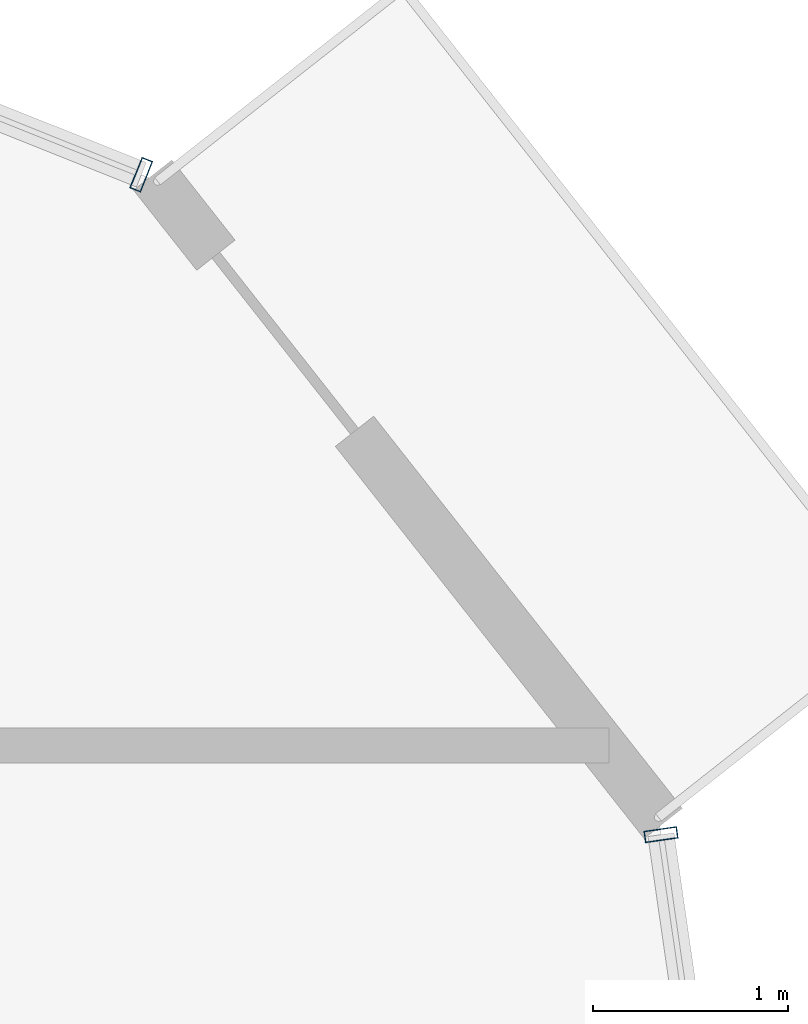
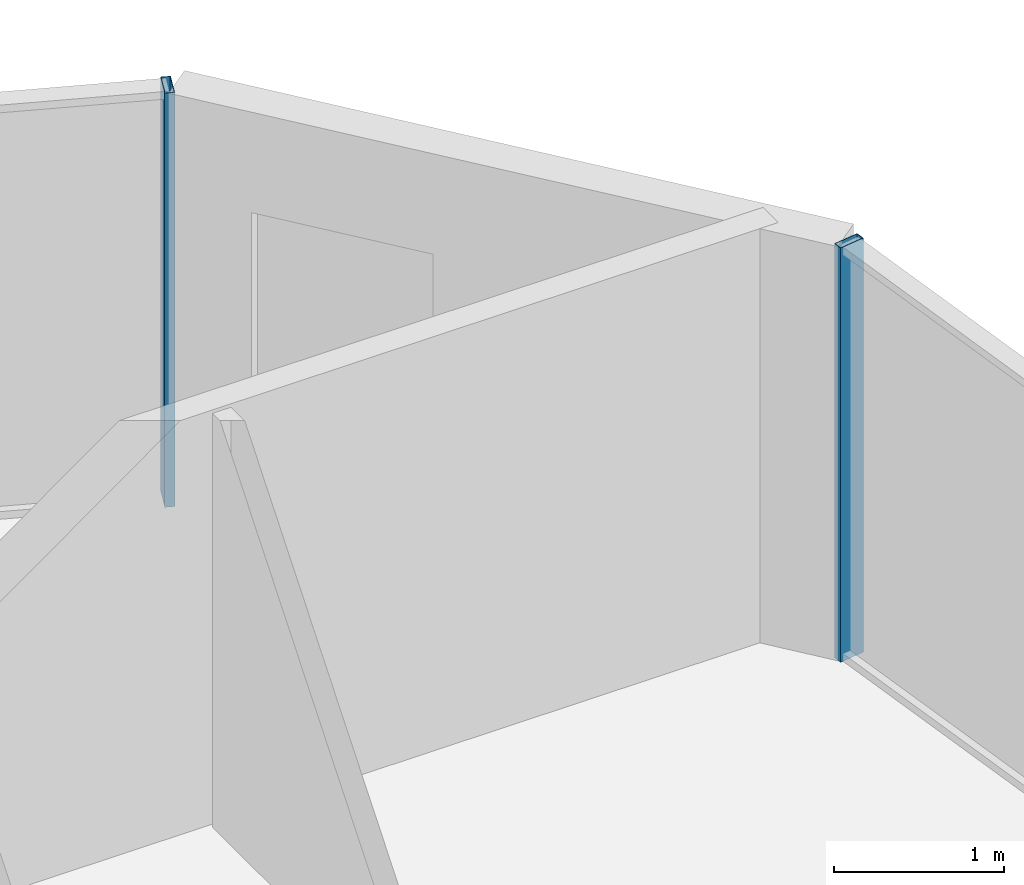
# One storey, part 28 of 34: 2 members, 2 elements without a shape of their own.
"""IFC4 building model written with IfcOpenShell, lengths in metres."""

from ifc_helpers import new_model, si_unit, direction, frame, origin, origin_2d, place, context, subcontext, project, spatial, hollow_rectangle, extrude, source, transform, mapped, material, layer, layer_set, material_profile, profile_set, type_object, element, aggregate, save


model = new_model("IFC4")

# Units and contexts
model_context = context("Model", 3, precision=1e-05, world=origin(), true_north=direction((0.0, 1.0)))
body_context = subcontext(model_context, "Body", "Model", "MODEL_VIEW")
ifc_project = project(units=[si_unit("LENGTHUNIT", "METRE"), si_unit("AREAUNIT", "SQUARE_METRE"), si_unit("VOLUMEUNIT", "CUBIC_METRE"), si_unit("PLANEANGLEUNIT", "RADIAN"), si_unit("MASSUNIT", "GRAM", prefix="KILO")], contexts=[model_context])

# Site, building, storey
site_placement = place(None, origin())
site = spatial("IfcSite", under=ifc_project, at=site_placement, CompositionType="ELEMENT")
building_placement = place(site_placement, origin())
building = spatial("IfcBuilding", under=site, at=building_placement, Name="Veraguas Prism Commons", CompositionType="ELEMENT")
storey_placement = place(building_placement, frame((0.0, 0.0, 155.5)))
storey = spatial("IfcBuildingStorey", under=building, at=storey_placement, Name="L44", CompositionType="ELEMENT", Elevation=155.5)

# Curtain wall, member
ifc_material = material(Name="Anodised aluminium EN AW-6063 T6", Category="aluminium")
ifc_layer = layer(ifc_material, 0.169921875, Name="Unitised Flush Curtain Wall Zone 2", Category="aluminium")
ifc_layer_set = layer_set([ifc_layer], Name="Anodised aluminium EN AW-6063 T6")
curtain_wall_type = type_object("IfcCurtainWallType", Name="Unitised Flush Curtain Wall Zone 2", PredefinedType="NOTDEFINED", material=ifc_layer_set)
curtain_wall_1_placement = place(storey_placement, origin())
curtain_wall_1 = element("IfcCurtainWall", 1, at=curtain_wall_1_placement, inside=storey, type_object=curtain_wall_type, Name="Tower Facade Curtain Wall L44-F1", PredefinedType="NOTDEFINED")
ifc_material_profile = material_profile(ifc_material, hollow_rectangle(XDim=0.06005859375, YDim=0.169921875, WallThickness=0.00390625, at=origin_2d()), Name="AL60X170X4")
ifc_profile_set = profile_set([ifc_material_profile], Name="Anodised aluminium EN AW-6063 T6")
member_type = type_object("IfcMemberType", Name="Curtain Wall Mullion Lower AL 60x170x4", PredefinedType="MULLION", material=ifc_profile_set)
shared_shape = source(origin(), body_context, "Body", "SweptSolid", [
    extrude(hollow_rectangle(XDim=0.06005859375, YDim=0.169921875, WallThickness=0.00390625, at=origin_2d()), origin(), (0.0, 0.0, 1.0), 2.969970703125),
])
member_1_placement = place(storey_placement, frame((39.091796875, 38.626953125, 0.0), z_axis=(0.0, 0.0, 1.0), x_axis=(-0.928617344909, 0.371038848013, 0.0)))
member_1 = element("IfcMember", 2, at=member_1_placement, type_object=member_type, Name="CW-Z2 Mullion 1", PredefinedType="MULLION", context=body_context, shape_type="MappedRepresentation", body=[
    mapped(shared_shape, transform((0.0, 0.0, 0.0), scale=1.0)),
])
aggregate(curtain_wall_1, [member_1])

curtain_wall_2_placement = place(storey_placement, origin())
curtain_wall_2 = element("IfcCurtainWall", 3, at=curtain_wall_2_placement, inside=storey, type_object=curtain_wall_type, Name="Tower Facade Curtain Wall L44-F6", PredefinedType="NOTDEFINED")
member_2_placement = place(storey_placement, frame((41.757568359375, 35.241455078125, 0.0), z_axis=(0.0, 0.0, 1.0), x_axis=(-0.142970967293, 0.989726882787, 0.0)))
member_2 = element("IfcMember", 4, at=member_2_placement, type_object=member_type, Name="CW-Z2 Mullion 5", PredefinedType="MULLION", context=body_context, shape_type="MappedRepresentation", body=[
    mapped(shared_shape, transform((0.0, 0.0, 0.0), scale=1.0)),
])
aggregate(curtain_wall_2, [member_2])

save(model, "model.ifc")
